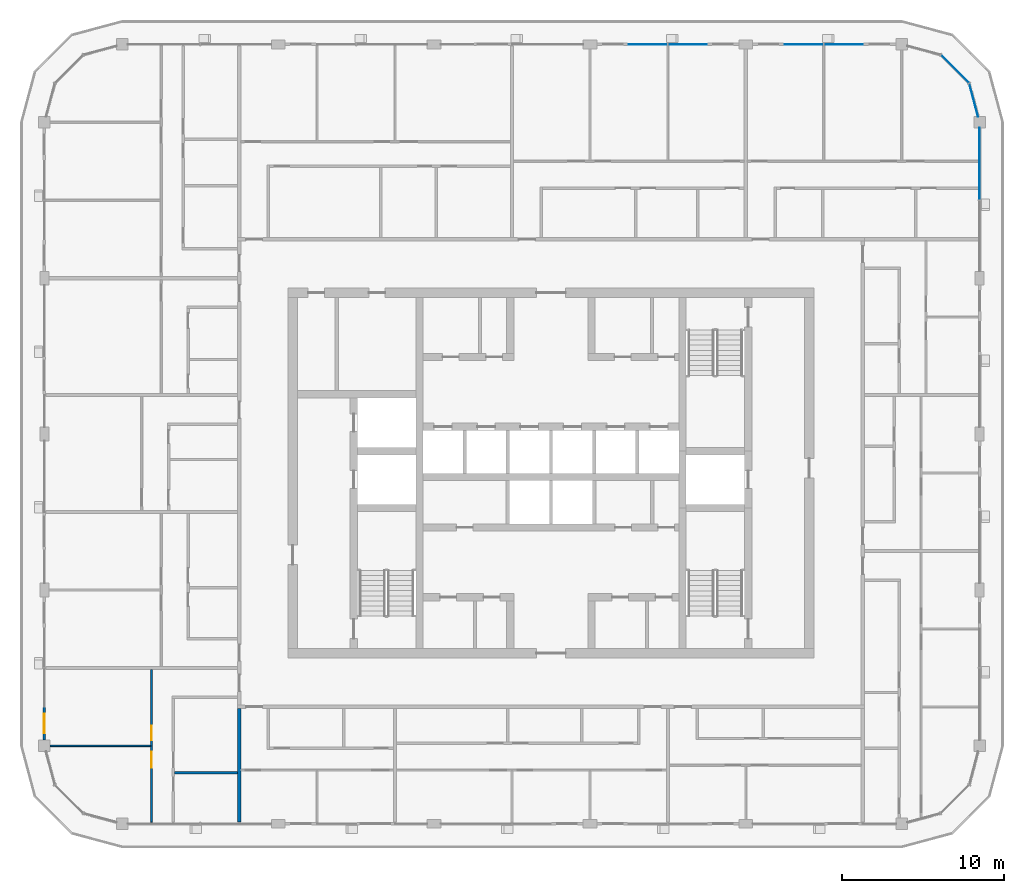
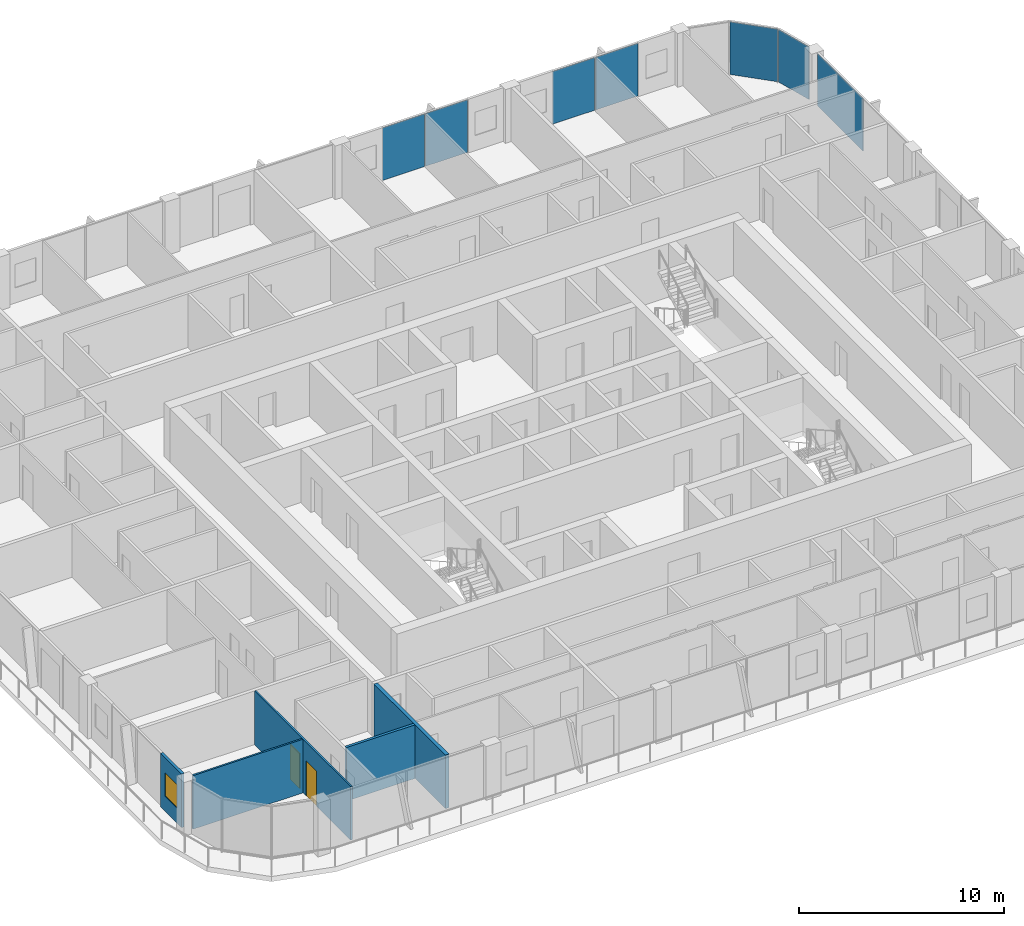
# One storey, part 8 of 22: 7 plates, 5 walls, 2 doors, 1 window, 3 openings, 4 elements without a shape of their own.
"""IFC4 building model written with IfcOpenShell, lengths in metres."""

from ifc_helpers import new_model, si_unit, direction, frame, frame_2d, origin, origin_2d, place, context, subcontext, project, spatial, rectangle, extrude, material, layer, layer_set, type_object, element, fill, aggregate, save


model = new_model("IFC4")

# Units and contexts
model_context = context("Model", 3, precision=1e-05, world=origin(), true_north=direction((0.0, 1.0)))
body_context = subcontext(model_context, "Body", "Model", "MODEL_VIEW")
ifc_project = project(units=[si_unit("LENGTHUNIT", "METRE"), si_unit("AREAUNIT", "SQUARE_METRE"), si_unit("VOLUMEUNIT", "CUBIC_METRE"), si_unit("PLANEANGLEUNIT", "RADIAN"), si_unit("MASSUNIT", "GRAM", prefix="KILO")], contexts=[model_context])

# Site, building, storey
site_placement = place(None, origin())
site = spatial("IfcSite", under=ifc_project, at=site_placement, CompositionType="ELEMENT")
building_placement = place(site_placement, origin())
building = spatial("IfcBuilding", under=site, at=building_placement, Name="Madar Terraces", CompositionType="ELEMENT")
storey_placement = place(building_placement, frame((0.0, 0.0, 249.199951171875)))
storey = spatial("IfcBuildingStorey", under=building, at=storey_placement, Name="L65", CompositionType="ELEMENT", Elevation=249.199951171875)

# Curtain wall, plate
ifc_material_1 = material(Name="Glass, ceramic frit dark grey, with black aluminium frame", Category="aluminium")
ifc_layer_1 = layer(ifc_material_1, 0.199951171875)
ifc_layer_set_1 = layer_set([ifc_layer_1], Name="Facade curtain wall, fritted glass")
curtain_wall_type = type_object("IfcCurtainWallType", Name="Facade curtain wall, fritted glass", PredefinedType="NOTDEFINED", material=ifc_layer_set_1)
curtain_wall_1_placement = place(storey_placement, origin())
curtain_wall_1 = element("IfcCurtainWall", 1, at=curtain_wall_1_placement, inside=storey, type_object=curtain_wall_type, Name="Outer skin curtain wall east bay 4", PredefinedType="NOTDEFINED")
ifc_material_2 = material(Name="Glass, ceramic frit dark grey", Category="glass")
ifc_layer_2 = layer(ifc_material_2, 0.028076171875)
ifc_layer_set_2 = layer_set([ifc_layer_2], Name="Facade glass panel 28")
plate_type = type_object("IfcPlateType", Name="Facade glass panel 28", PredefinedType="CURTAIN_PANEL", material=ifc_layer_set_2)
plate_1_placement = place(storey_placement, frame((57.60009765625, 45.43994140625, 0.0), z_axis=(0.0, 0.0, 1.0), x_axis=(0.0, 1.0, 0.0)))
plate_1 = element("IfcPlate", 2, at=plate_1_placement, type_object=plate_type, Name="Panel 2", PredefinedType="CURTAIN_PANEL", context=body_context, shape_type="SweptSolid", body=[
    extrude(rectangle(XDim=4.419921875, YDim=0.028076171875, at=origin_2d()), origin(), (0.0, 0.0, 1.0), 3.139892578125),
])
aggregate(curtain_wall_1, [plate_1])

# Curtain wall, plates
curtain_wall_2_placement = place(storey_placement, origin())
curtain_wall_2 = element("IfcCurtainWall", 3, at=curtain_wall_2_placement, inside=storey, type_object=curtain_wall_type, Name="Outer skin curtain wall north bay 1", PredefinedType="NOTDEFINED")
plate_2_placement = place(storey_placement, frame((49.215087890625, 52.800048828125, 0.0), z_axis=(0.0, 0.0, 1.0), x_axis=(-1.0, 0.0, 0.0)))
plate_2 = element("IfcPlate", 4, at=plate_2_placement, type_object=plate_type, Name="Panel 1", PredefinedType="CURTAIN_PANEL", context=body_context, shape_type="SweptSolid", body=[
    extrude(rectangle(XDim=2.3701171875, YDim=0.028076171875, at=origin_2d()), origin(), (0.0, 0.0, 1.0), 3.139892578125),
])
plate_3_placement = place(storey_placement, frame((46.784912109375, 52.800048828125, 0.0), z_axis=(0.0, 0.0, 1.0), x_axis=(-1.0, 0.0, 0.0)))
plate_3 = element("IfcPlate", 5, at=plate_3_placement, type_object=plate_type, Name="Panel 2", PredefinedType="CURTAIN_PANEL", context=body_context, shape_type="SweptSolid", body=[
    extrude(rectangle(XDim=2.3701171875, YDim=0.028076171875, at=origin_2d()), origin(), (0.0, 0.0, 1.0), 3.139892578125),
])
aggregate(curtain_wall_2, [plate_2, plate_3])

curtain_wall_3_placement = place(storey_placement, origin())
curtain_wall_3 = element("IfcCurtainWall", 6, at=curtain_wall_3_placement, inside=storey, type_object=curtain_wall_type, Name="Outer skin curtain wall north bay 2", PredefinedType="NOTDEFINED")
plate_4_placement = place(storey_placement, frame((39.614990234375, 52.800048828125, 0.0), z_axis=(0.0, 0.0, 1.0), x_axis=(-1.0, 0.0, 0.0)))
plate_4 = element("IfcPlate", 7, at=plate_4_placement, type_object=plate_type, Name="Panel 1", PredefinedType="CURTAIN_PANEL", context=body_context, shape_type="SweptSolid", body=[
    extrude(rectangle(XDim=2.3701171875, YDim=0.028076171875, at=origin_2d()), origin(), (0.0, 0.0, 1.0), 3.139892578125),
])
plate_5_placement = place(storey_placement, frame((37.18505859375, 52.800048828125, 0.0), z_axis=(0.0, 0.0, 1.0), x_axis=(-1.0, 0.0, 0.0)))
plate_5 = element("IfcPlate", 8, at=plate_5_placement, type_object=plate_type, Name="Panel 2", PredefinedType="CURTAIN_PANEL", context=body_context, shape_type="SweptSolid", body=[
    extrude(rectangle(XDim=2.3701171875, YDim=0.028076171875, at=origin_2d()), origin(), (0.0, 0.0, 1.0), 3.139892578125),
])
aggregate(curtain_wall_3, [plate_4, plate_5])

curtain_wall_4_placement = place(storey_placement, origin())
curtain_wall_4 = element("IfcCurtainWall", 9, at=curtain_wall_4_placement, inside=storey, type_object=curtain_wall_type, Name="Outer skin curtain wall north-east corner", PredefinedType="NOTDEFINED")
plate_6_placement = place(storey_placement, frame((57.2353515625, 49.360595703125, 0.0), z_axis=(0.0, 0.0, 1.0), x_axis=(-0.258819021888, 0.965925832509, 0.0)))
plate_6 = element("IfcPlate", 10, at=plate_6_placement, type_object=plate_type, Name="Panel 1", PredefinedType="CURTAIN_PANEL", context=body_context, shape_type="SweptSolid", body=[
    extrude(rectangle(XDim=2.09228515625, YDim=0.028076171875, at=origin_2d()), origin(), (0.0, 0.0, 1.0), 3.139892578125),
])
plate_7_placement = place(storey_placement, frame((56.078369140625, 51.278564453125, 0.0), z_axis=(0.0, 0.0, 1.0), x_axis=(-0.707106781187, 0.707106781187, 0.0)))
plate_7 = element("IfcPlate", 11, at=plate_7_placement, type_object=plate_type, Name="Panel 2", PredefinedType="CURTAIN_PANEL", context=body_context, shape_type="SweptSolid", body=[
    extrude(rectangle(XDim=2.424560546875, YDim=0.028076171875, at=origin_2d()), origin(), (0.0, 0.0, 1.0), 3.139892578125),
])
aggregate(curtain_wall_4, [plate_6, plate_7])

# Wall, opening, window
ifc_material_3 = material(Name="Aluminium composite panel, black, over insulated backing", Category="aluminium")
ifc_layer_3 = layer(ifc_material_3, 0.14990234375)
ifc_layer_set_3 = layer_set([ifc_layer_3], Name="Facade bay panel 150")
wall_type_1 = type_object("IfcWallType", Name="Facade bay panel 150", PredefinedType="SOLIDWALL", material=ifc_layer_set_3)
wall_1_placement = place(storey_placement, frame((0.0, 12.0, 0.0), z_axis=(0.0, 0.0, 1.0), x_axis=(0.0, -1.0, 0.0)))
wall_1 = element("IfcWall", 12, at=wall_1_placement, inside=storey, type_object=wall_type_1, Name="Facade bay panel", PredefinedType="SOLIDWALL", context=body_context, shape_type="SweptSolid", body=[
    extrude(rectangle(XDim=2.050048828125, YDim=0.14990234375, at=frame_2d((1.02490234375, 0.0))), origin(), (0.0, 0.0, 1.0), 3.199951171875),
])
opening_1_placement = place(wall_1_placement, frame((0.425048828125, 0.0, 0.89990234375)))
opening_1 = element("IfcOpeningElement", 13, at=opening_1_placement, cuts=wall_1, Name="Opening W1", PredefinedType="OPENING", context=body_context, shape_type="SweptSolid", body=[
    extrude(rectangle(XDim=1.199951171875, YDim=1.39990234375, at=frame_2d((0.60009765625, 0.699951171875))), frame((0.0, 0.0849609375, 0.0), z_axis=(0.0, -1.0, 0.0), x_axis=(1.0, 0.0, 0.0)), (0.0, 0.0, 1.0), 0.169921875),
])
ifc_material_4 = material(Name="Glass, clear, with black aluminium frame", Category="aluminium")
window_type = type_object("IfcWindowType", Name="Vent window 1200 x 1400", PartitioningType="SINGLE_PANEL", PredefinedType="WINDOW", material=ifc_material_4)
window_placement = place(opening_1_placement, origin())
window = element("IfcWindow", 14, at=window_placement, inside=storey, type_object=window_type, Name="Operable vent window", OverallHeight=1.39990234375, OverallWidth=1.199951171875, PartitioningType="SINGLE_PANEL", PredefinedType="WINDOW", context=body_context, shape_type="SweptSolid", body=[
    extrude(rectangle(XDim=1.199951171875, YDim=1.39990234375, at=frame_2d((0.60009765625, 0.699951171875))), frame((0.0, 0.030029296875, 0.0), z_axis=(0.0, -1.0, 0.0), x_axis=(1.0, 0.0, 0.0)), (0.0, 0.0, 1.0), 0.06005859375),
])
fill(opening_1, window)

# Wall
ifc_material_5 = material(Name="Gypsum board on steel studs", Category="steel")
ifc_layer_4 = layer(ifc_material_5, 0.10009765625)
ifc_layer_set_4 = layer_set([ifc_layer_4], Name="Flat partition 100")
wall_type_2 = type_object("IfcWallType", Name="Flat partition 100", PredefinedType="PARTITIONING", material=ifc_layer_set_4)
wall_2_placement = place(storey_placement, frame((6.550048828125, 9.60009765625, 0.0), z_axis=(0.0, 0.0, 1.0), x_axis=(-1.0, 0.0, 0.0)))
element("IfcWall", 15, at=wall_2_placement, inside=storey, type_object=wall_type_2, Name="Flat partition 100", PredefinedType="PARTITIONING", context=body_context, shape_type="SweptSolid", body=[
    extrude(rectangle(XDim=6.199951171875, YDim=0.10009765625, at=frame_2d((3.10009765625, 0.0))), origin(), (0.0, 0.0, 1.0), 3.199951171875),
])

# Wall, openings, doors
wall_3_placement = place(storey_placement, frame((6.60009765625, 4.89990234375, 0.0), z_axis=(0.0, 0.0, 1.0), x_axis=(0.0, 1.0, 0.0)))
wall_3 = element("IfcWall", 16, at=wall_3_placement, inside=storey, type_object=wall_type_2, Name="Flat partition 100", PredefinedType="PARTITIONING", context=body_context, shape_type="SweptSolid", body=[
    extrude(rectangle(XDim=9.400146484375, YDim=0.10009765625, at=frame_2d((4.7001953125, 0.0))), origin(), (0.0, 0.0, 1.0), 3.199951171875),
])
opening_2_placement = place(wall_3_placement, frame((5.050048828125, 0.0, 0.0)))
opening_2 = element("IfcOpeningElement", 17, at=opening_2_placement, cuts=wall_3, Name="Opening D2", PredefinedType="OPENING", context=body_context, shape_type="SweptSolid", body=[
    extrude(rectangle(XDim=0.89990234375, YDim=2.10009765625, at=frame_2d((0.449951171875, 1.050048828125))), frame((0.0, 0.06005859375, 0.0), z_axis=(0.0, -1.0, 0.0), x_axis=(1.0, 0.0, 0.0)), (0.0, 0.0, 1.0), 0.1201171875),
])
opening_3_placement = place(wall_3_placement, frame((3.35009765625, 0.0, 0.0)))
opening_3 = element("IfcOpeningElement", 18, at=opening_3_placement, cuts=wall_3, Name="Opening D3", PredefinedType="OPENING", context=body_context, shape_type="SweptSolid", body=[
    extrude(rectangle(XDim=1.0, YDim=2.10009765625, at=frame_2d((0.5, 1.050048828125))), frame((0.0, 0.06005859375, 0.0), z_axis=(0.0, -1.0, 0.0), x_axis=(1.0, 0.0, 0.0)), (0.0, 0.0, 1.0), 0.1201171875),
])
ifc_material_6 = material(Name="Timber door leaf", Category="wood")
door_type_1 = type_object("IfcDoorType", Name="Flat living room door 1000", OperationType="NOTDEFINED", PredefinedType="DOOR", material=ifc_material_6)
door_1_placement = place(opening_3_placement, origin())
door_1 = element("IfcDoor", 19, at=door_1_placement, inside=storey, type_object=door_type_1, Name="Flat living room door 1000", OperationType="SINGLE_SWING_RIGHT", OverallHeight=2.10009765625, OverallWidth=1.0, PredefinedType="DOOR", context=body_context, shape_type="SweptSolid", body=[
    extrude(rectangle(XDim=1.0, YDim=2.10009765625, at=frame_2d((0.5, 1.050048828125))), frame((0.0, 0.02490234375, 0.0), z_axis=(0.0, -1.0, 0.0), x_axis=(1.0, 0.0, 0.0)), (0.0, 0.0, 1.0), 0.050048828125),
])
fill(opening_3, door_1)
ifc_material_7 = material(Name="Timber door leaf", Category="wood")
door_type_2 = type_object("IfcDoorType", Name="Flat room door 900", OperationType="NOTDEFINED", PredefinedType="DOOR", material=ifc_material_7)
door_2_placement = place(opening_2_placement, origin())
door_2 = element("IfcDoor", 20, at=door_2_placement, inside=storey, type_object=door_type_2, Name="Flat room door 900", OperationType="SINGLE_SWING_LEFT", OverallHeight=2.10009765625, OverallWidth=0.89990234375, PredefinedType="DOOR", context=body_context, shape_type="SweptSolid", body=[
    extrude(rectangle(XDim=0.89990234375, YDim=2.10009765625, at=frame_2d((0.449951171875, 1.050048828125))), frame((0.0, 0.02490234375, 0.0), z_axis=(0.0, -1.0, 0.0), x_axis=(1.0, 0.0, 0.0)), (0.0, 0.0, 1.0), 0.050048828125),
])
fill(opening_2, door_2)

# Walls
ifc_material_8 = material(Name="Lightweight blockwork", Category="masonry")
ifc_layer_5 = layer(ifc_material_8, 0.199951171875)
ifc_layer_set_5 = layer_set([ifc_layer_5], Name="Flat party and entrance wall 200")
wall_type_3 = type_object("IfcWallType", Name="Flat party and entrance wall 200", PredefinedType="PARTITIONING", material=ifc_layer_set_5)
wall_4_placement = place(storey_placement, frame((12.0, 4.89990234375, 0.0), z_axis=(0.0, 0.0, 1.0), x_axis=(0.0, 1.0, 0.0)))
element("IfcWall", 21, at=wall_4_placement, inside=storey, type_object=wall_type_3, Name="Flat party and entrance wall 200", PredefinedType="PARTITIONING", context=body_context, shape_type="SweptSolid", body=[
    extrude(rectangle(XDim=7.0, YDim=0.199951171875, at=frame_2d((3.5, 0.0))), origin(), (0.0, 0.0, 1.0), 3.199951171875),
])
ifc_material_9 = material(Name="Lightweight blockwork", Category="masonry")
ifc_layer_6 = layer(ifc_material_9, 0.14990234375)
ifc_layer_set_6 = layer_set([ifc_layer_6], Name="Flat wet-room partition 150")
wall_type_4 = type_object("IfcWallType", Name="Flat wet-room partition 150", PredefinedType="PARTITIONING", material=ifc_layer_set_6)
wall_5_placement = place(storey_placement, frame((11.89990234375, 7.949951171875, 0.0), z_axis=(0.0, 0.0, 1.0), x_axis=(-1.0, 0.0, 0.0)))
element("IfcWall", 22, at=wall_5_placement, inside=storey, type_object=wall_type_4, Name="Flat wet-room partition 150", PredefinedType="PARTITIONING", context=body_context, shape_type="SweptSolid", body=[
    extrude(rectangle(XDim=3.875, YDim=0.14990234375, at=frame_2d((1.9375, 0.0))), origin(), (0.0, 0.0, 1.0), 3.199951171875),
])

save(model, "model.ifc")
